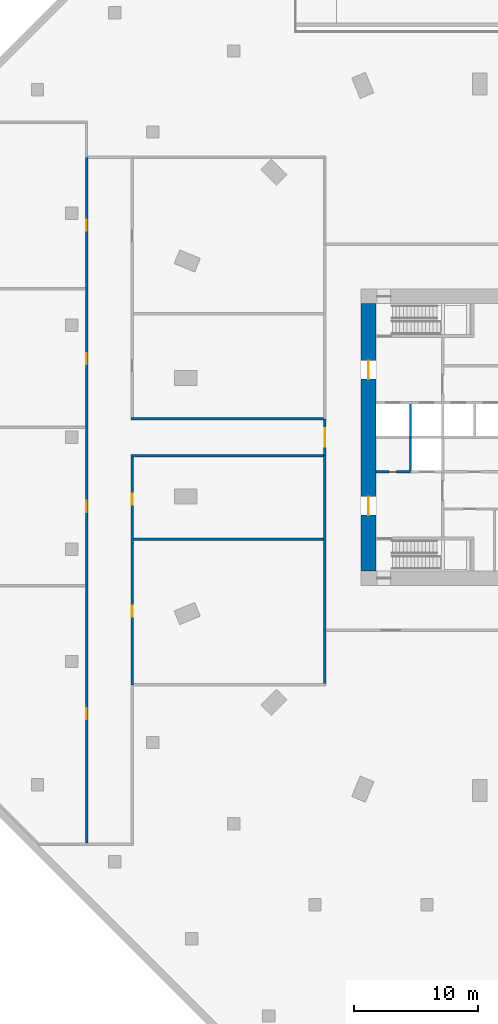
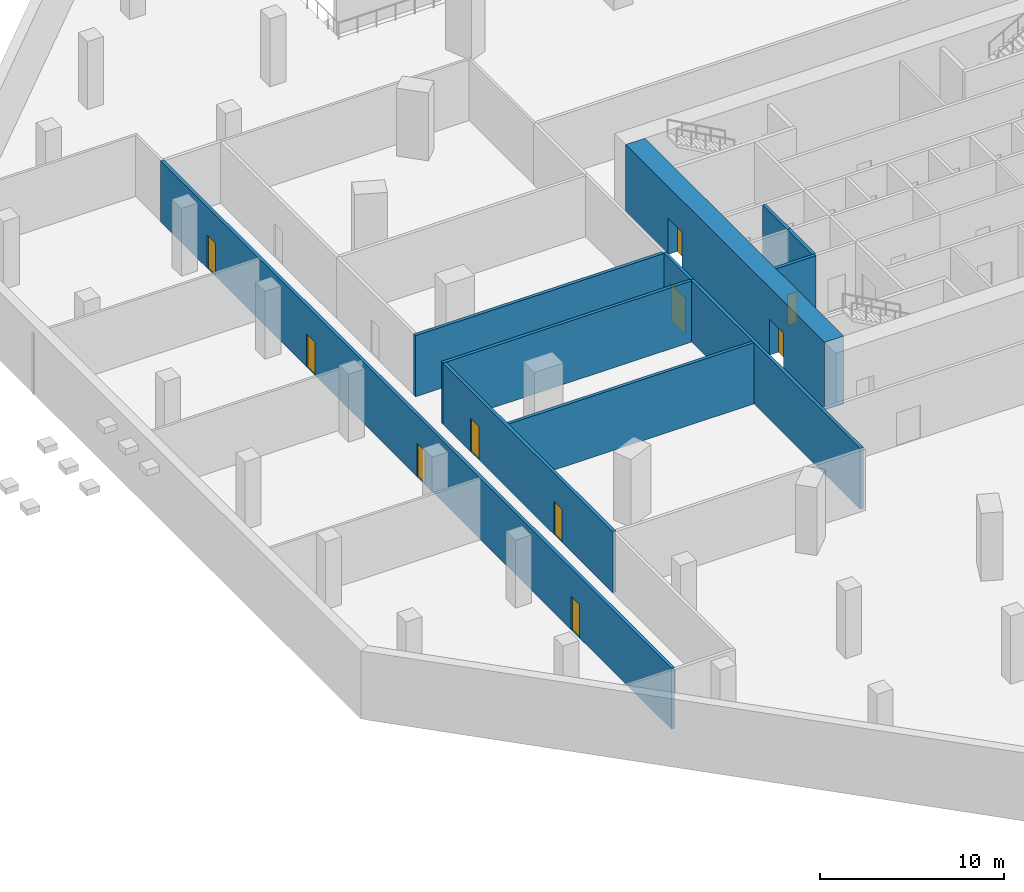
# One storey, part 4 of 11: 11 walls, 10 doors, 10 openings.
"""IFC4 building model written with IfcOpenShell, lengths in metres."""

from ifc_helpers import new_model, si_unit, direction, frame, frame_2d, origin, place, context, subcontext, project, spatial, rectangle, extrude, material, layer, layer_set, type_object, element, fill, save


model = new_model("IFC4")

# Units and contexts
model_context = context("Model", 3, precision=1e-05, world=origin(), true_north=direction((0.0, 1.0)))
body_context = subcontext(model_context, "Body", "Model", "MODEL_VIEW")
ifc_project = project(units=[si_unit("LENGTHUNIT", "METRE"), si_unit("AREAUNIT", "SQUARE_METRE"), si_unit("VOLUMEUNIT", "CUBIC_METRE"), si_unit("PLANEANGLEUNIT", "RADIAN"), si_unit("MASSUNIT", "GRAM", prefix="KILO")], contexts=[model_context])

# Site, building, storey
site_placement = place(None, origin())
site = spatial("IfcSite", under=ifc_project, at=site_placement, CompositionType="ELEMENT")
building_placement = place(site_placement, origin())
building = spatial("IfcBuilding", under=site, at=building_placement, Name="Msitu Wima Residences", CompositionType="ELEMENT")
storey_placement = place(building_placement, frame((0.0, 0.0, -4.5)))
storey = spatial("IfcBuildingStorey", under=building, at=storey_placement, Name="B1", CompositionType="ELEMENT", Elevation=-4.5)

# Wall, openings, doors
ifc_material_1 = material(Name="Concrete C80/95", Category="concrete")
ifc_layer_1 = layer(ifc_material_1, 1.199951171875)
ifc_layer_set_1 = layer_set([ifc_layer_1], Name="Concrete C80/95")
wall_type_1 = type_object("IfcWallType", Name="Core wall CW1200 C80/95", PredefinedType="SHEAR", material=ifc_layer_set_1)
wall_1_placement = place(storey_placement, frame((-13.800048828125, -10.800048828125, 0.0), z_axis=(0.0, 0.0, 1.0), x_axis=(0.0, 1.0, 0.0)))
wall_1 = element("IfcWall", 1, at=wall_1_placement, inside=storey, type_object=wall_type_1, Name="Core wall", PredefinedType="SHEAR", context=body_context, shape_type="SweptSolid", body=[
    extrude(rectangle(XDim=21.60009765625, YDim=1.199951171875, at=frame_2d((10.800048828125, 0.0))), origin(), (0.0, 0.0, 1.0), 4.5),
])
opening_1_placement = place(wall_1_placement, frame((15.5, 0.0, 0.0)))
opening_1 = element("IfcOpeningElement", 2, at=opening_1_placement, cuts=wall_1, Name="Opening DB1.038", PredefinedType="OPENING", context=body_context, shape_type="SweptSolid", body=[
    extrude(rectangle(XDim=1.5, YDim=2.39990234375, at=frame_2d((0.75, 1.199951171875))), frame((0.0, 0.60986328125, 0.0), z_axis=(0.0, -1.0, 0.0), x_axis=(1.0, 0.0, 0.0)), (0.0, 0.0, 1.0), 1.219970703125),
])
opening_2_placement = place(wall_1_placement, frame((4.5, 0.0, 0.0)))
opening_2 = element("IfcOpeningElement", 3, at=opening_2_placement, cuts=wall_1, Name="Opening DB1.039", PredefinedType="OPENING", context=body_context, shape_type="SweptSolid", body=[
    extrude(rectangle(XDim=1.5, YDim=2.39990234375, at=frame_2d((0.75, 1.199951171875))), frame((0.0, 0.60986328125, 0.0), z_axis=(0.0, -1.0, 0.0), x_axis=(1.0, 0.0, 0.0)), (0.0, 0.0, 1.0), 1.219970703125),
])
ifc_material_2 = material(Name="Steel framed glazed door, fire resisting", Category="steel")
door_type_1 = type_object("IfcDoorType", Name="Lobby door D07 1500x2400", OperationType="DOUBLE_DOOR_SINGLE_SWING", PredefinedType="DOOR", material=ifc_material_2)
door_1_placement = place(opening_1_placement, origin())
door_1 = element("IfcDoor", 4, at=door_1_placement, inside=storey, type_object=door_type_1, Name="Lobby door", OperationType="DOUBLE_DOOR_SINGLE_SWING", OverallHeight=2.39990234375, OverallWidth=1.5, PredefinedType="DOOR", context=body_context, shape_type="SweptSolid", body=[
    extrude(rectangle(XDim=1.5, YDim=2.39990234375, at=frame_2d((0.75, 1.199951171875))), frame((0.0, 0.02490234375, 0.0), z_axis=(0.0, -1.0, 0.0), x_axis=(1.0, 0.0, 0.0)), (0.0, 0.0, 1.0), 0.050048828125),
])
fill(opening_1, door_1)
door_2_placement = place(opening_2_placement, origin())
door_2 = element("IfcDoor", 5, at=door_2_placement, inside=storey, type_object=door_type_1, Name="Lobby door", OperationType="DOUBLE_DOOR_SINGLE_SWING", OverallHeight=2.39990234375, OverallWidth=1.5, PredefinedType="DOOR", context=body_context, shape_type="SweptSolid", body=[
    extrude(rectangle(XDim=1.5, YDim=2.39990234375, at=frame_2d((0.75, 1.199951171875))), frame((0.0, 0.02490234375, 0.0), z_axis=(0.0, -1.0, 0.0), x_axis=(1.0, 0.0, 0.0)), (0.0, 0.0, 1.0), 0.050048828125),
])
fill(opening_2, door_2)

ifc_material_3 = material(Name="Plaster")
ifc_layer_2 = layer(ifc_material_3, 0.011962890625, Name="Plaster")
ifc_material_4 = material(Name="Concrete blockwork", Category="masonry")
ifc_layer_3 = layer(ifc_material_4, 0.176025390625, Name="Concrete blockwork")
ifc_layer_4 = layer(ifc_material_3, 0.011962890625, Name="Plaster")
ifc_layer_set_2 = layer_set([ifc_layer_2, ifc_layer_3, ifc_layer_4], Name="Concrete blockwork")
wall_type_2 = type_object("IfcWallType", Name="Corridor wall FW200", PredefinedType="PARTITIONING", material=ifc_layer_set_2)
wall_2_placement = place(storey_placement, frame((-36.60009765625, -32.800048828125, 0.0), z_axis=(0.0, 0.0, 1.0), x_axis=(0.0, 1.0, 0.0)))
wall_2 = element("IfcWall", 6, at=wall_2_placement, inside=storey, type_object=wall_type_2, Name="Corridor wall", PredefinedType="PARTITIONING", context=body_context, shape_type="SweptSolid", body=[
    extrude(rectangle(XDim=55.455810546875, YDim=0.199951171875, at=frame_2d((27.72802734375, 0.0))), origin(), (0.0, 0.0, 1.0), 4.048095703125),
])
opening_3_placement = place(wall_2_placement, frame((10.0, 0.0, 0.0)))
opening_3 = element("IfcOpeningElement", 7, at=opening_3_placement, cuts=wall_2, Name="Opening DB1.025", PredefinedType="OPENING", context=body_context, shape_type="SweptSolid", body=[
    extrude(rectangle(XDim=0.89990234375, YDim=2.199951171875, at=frame_2d((0.449951171875, 1.10009765625))), frame((0.0, 0.10986328125, 0.0), z_axis=(0.0, -1.0, 0.0), x_axis=(1.0, 0.0, 0.0)), (0.0, 0.0, 1.0), 0.219970703125),
])
opening_4_placement = place(wall_2_placement, frame((26.75, 0.0, 0.0)))
opening_4 = element("IfcOpeningElement", 8, at=opening_4_placement, cuts=wall_2, Name="Opening DB1.026", PredefinedType="OPENING", context=body_context, shape_type="SweptSolid", body=[
    extrude(rectangle(XDim=0.89990234375, YDim=2.199951171875, at=frame_2d((0.449951171875, 1.10009765625))), frame((0.0, 0.10986328125, 0.0), z_axis=(0.0, -1.0, 0.0), x_axis=(1.0, 0.0, 0.0)), (0.0, 0.0, 1.0), 0.219970703125),
])
opening_5_placement = place(wall_2_placement, frame((38.699951171875, 0.0, 0.0)))
opening_5 = element("IfcOpeningElement", 9, at=opening_5_placement, cuts=wall_2, Name="Opening DB1.027", PredefinedType="OPENING", context=body_context, shape_type="SweptSolid", body=[
    extrude(rectangle(XDim=0.89990234375, YDim=2.199951171875, at=frame_2d((0.449951171875, 1.10009765625))), frame((0.0, 0.10986328125, 0.0), z_axis=(0.0, -1.0, 0.0), x_axis=(1.0, 0.0, 0.0)), (0.0, 0.0, 1.0), 0.219970703125),
])
opening_6_placement = place(wall_2_placement, frame((49.5, 0.0, 0.0)))
opening_6 = element("IfcOpeningElement", 10, at=opening_6_placement, cuts=wall_2, Name="Opening DB1.028", PredefinedType="OPENING", context=body_context, shape_type="SweptSolid", body=[
    extrude(rectangle(XDim=0.89990234375, YDim=2.199951171875, at=frame_2d((0.449951171875, 1.10009765625))), frame((0.0, 0.10986328125, 0.0), z_axis=(0.0, -1.0, 0.0), x_axis=(1.0, 0.0, 0.0)), (0.0, 0.0, 1.0), 0.219970703125),
])
ifc_material_5 = material(Name="Timber flush door", Category="wood")
door_type_2 = type_object("IfcDoorType", Name="Service door D05 900x2200", OperationType="SINGLE_SWING_LEFT", PredefinedType="DOOR", material=ifc_material_5)
door_3_placement = place(opening_3_placement, origin())
door_3 = element("IfcDoor", 11, at=door_3_placement, inside=storey, type_object=door_type_2, Name="Service door", OperationType="SINGLE_SWING_LEFT", OverallHeight=2.199951171875, OverallWidth=0.89990234375, PredefinedType="DOOR", context=body_context, shape_type="SweptSolid", body=[
    extrude(rectangle(XDim=0.89990234375, YDim=2.199951171875, at=frame_2d((0.449951171875, 1.10009765625))), frame((0.0, 0.02490234375, 0.0), z_axis=(0.0, -1.0, 0.0), x_axis=(1.0, 0.0, 0.0)), (0.0, 0.0, 1.0), 0.050048828125),
])
fill(opening_3, door_3)
door_4_placement = place(opening_4_placement, origin())
door_4 = element("IfcDoor", 12, at=door_4_placement, inside=storey, type_object=door_type_2, Name="Service door", OperationType="SINGLE_SWING_LEFT", OverallHeight=2.199951171875, OverallWidth=0.89990234375, PredefinedType="DOOR", context=body_context, shape_type="SweptSolid", body=[
    extrude(rectangle(XDim=0.89990234375, YDim=2.199951171875, at=frame_2d((0.449951171875, 1.10009765625))), frame((0.0, 0.02490234375, 0.0), z_axis=(0.0, -1.0, 0.0), x_axis=(1.0, 0.0, 0.0)), (0.0, 0.0, 1.0), 0.050048828125),
])
fill(opening_4, door_4)
door_5_placement = place(opening_5_placement, origin())
door_5 = element("IfcDoor", 13, at=door_5_placement, inside=storey, type_object=door_type_2, Name="Service door", OperationType="SINGLE_SWING_RIGHT", OverallHeight=2.199951171875, OverallWidth=0.89990234375, PredefinedType="DOOR", context=body_context, shape_type="SweptSolid", body=[
    extrude(rectangle(XDim=0.89990234375, YDim=2.199951171875, at=frame_2d((0.449951171875, 1.10009765625))), frame((0.0, 0.02490234375, 0.0), z_axis=(0.0, -1.0, 0.0), x_axis=(1.0, 0.0, 0.0)), (0.0, 0.0, 1.0), 0.050048828125),
])
fill(opening_5, door_5)
door_6_placement = place(opening_6_placement, origin())
door_6 = element("IfcDoor", 14, at=door_6_placement, inside=storey, type_object=door_type_2, Name="Service door", OperationType="SINGLE_SWING_RIGHT", OverallHeight=2.199951171875, OverallWidth=0.89990234375, PredefinedType="DOOR", context=body_context, shape_type="SweptSolid", body=[
    extrude(rectangle(XDim=0.89990234375, YDim=2.199951171875, at=frame_2d((0.449951171875, 1.10009765625))), frame((0.0, 0.02490234375, 0.0), z_axis=(0.0, -1.0, 0.0), x_axis=(1.0, 0.0, 0.0)), (0.0, 0.0, 1.0), 0.050048828125),
])
fill(opening_6, door_6)

# Wall, opening, door
wall_3_placement = place(storey_placement, frame((-17.327880859375, -1.47998046875, 0.0), z_axis=(0.0, 0.0, 1.0), x_axis=(0.0, 1.0, 0.0)))
wall_3 = element("IfcWall", 15, at=wall_3_placement, inside=storey, type_object=wall_type_2, Name="Corridor wall", PredefinedType="PARTITIONING", context=body_context, shape_type="SweptSolid", body=[
    extrude(rectangle(XDim=2.9599609375, YDim=0.199951171875, at=frame_2d((1.47998046875, 0.0))), origin(), (0.0, 0.0, 1.0), 4.048095703125),
])
opening_7_placement = place(wall_3_placement, frame((0.699951171875, 0.0, 0.0)))
opening_7 = element("IfcOpeningElement", 16, at=opening_7_placement, cuts=wall_3, Name="Opening DB1.024", PredefinedType="OPENING", context=body_context, shape_type="SweptSolid", body=[
    extrude(rectangle(XDim=1.5, YDim=2.39990234375, at=frame_2d((0.75, 1.199951171875))), frame((0.0, 0.10986328125, 0.0), z_axis=(0.0, -1.0, 0.0), x_axis=(1.0, 0.0, 0.0)), (0.0, 0.0, 1.0), 0.219970703125),
])
door_7_placement = place(opening_7_placement, origin())
door_7 = element("IfcDoor", 17, at=door_7_placement, inside=storey, type_object=door_type_1, Name="Lobby door", OperationType="DOUBLE_DOOR_SINGLE_SWING", OverallHeight=2.39990234375, OverallWidth=1.5, PredefinedType="DOOR", context=body_context, shape_type="SweptSolid", body=[
    extrude(rectangle(XDim=1.5, YDim=2.39990234375, at=frame_2d((0.75, 1.199951171875))), frame((0.0, 0.02490234375, 0.0), z_axis=(0.0, -1.0, 0.0), x_axis=(1.0, 0.0, 0.0)), (0.0, 0.0, 1.0), 0.050048828125),
])
fill(opening_7, door_7)

# Wall, openings, doors
ifc_layer_5 = layer(ifc_material_3, 0.011962890625, Name="Plaster")
ifc_material_6 = material(Name="Reinforced concrete blockwork", Category="masonry")
ifc_layer_6 = layer(ifc_material_6, 0.176025390625, Name="Reinforced concrete blockwork")
ifc_layer_7 = layer(ifc_material_3, 0.011962890625, Name="Plaster")
ifc_layer_set_3 = layer_set([ifc_layer_5, ifc_layer_6, ifc_layer_7], Name="Reinforced concrete blockwork")
wall_type_3 = type_object("IfcWallType", Name="Plant and riser wall PL200", PredefinedType="PARTITIONING", material=ifc_layer_set_3)
wall_4_placement = place(storey_placement, frame((-32.89990234375, -20.02001953125, 0.0), z_axis=(0.0, 0.0, 1.0), x_axis=(0.0, 1.0, 0.0)))
wall_4 = element("IfcWall", 18, at=wall_4_placement, inside=storey, type_object=wall_type_3, Name="Plant and riser wall", PredefinedType="PARTITIONING", context=body_context, shape_type="SweptSolid", body=[
    extrude(rectangle(XDim=18.419921875, YDim=0.199951171875, at=frame_2d((9.2099609375, 0.0))), origin(), (0.0, 0.0, 1.0), 4.048095703125),
])
opening_8_placement = place(wall_4_placement, frame((5.5, 0.0, 0.0)))
opening_8 = element("IfcOpeningElement", 19, at=opening_8_placement, cuts=wall_4, Name="Opening DB1.029", PredefinedType="OPENING", context=body_context, shape_type="SweptSolid", body=[
    extrude(rectangle(XDim=0.89990234375, YDim=2.199951171875, at=frame_2d((0.449951171875, 1.10009765625))), frame((0.0, 0.10986328125, 0.0), z_axis=(0.0, -1.0, 0.0), x_axis=(1.0, 0.0, 0.0)), (0.0, 0.0, 1.0), 0.219970703125),
])
opening_9_placement = place(wall_4_placement, frame((14.550048828125, 0.0, 0.0)))
opening_9 = element("IfcOpeningElement", 20, at=opening_9_placement, cuts=wall_4, Name="Opening DB1.030", PredefinedType="OPENING", context=body_context, shape_type="SweptSolid", body=[
    extrude(rectangle(XDim=0.89990234375, YDim=2.199951171875, at=frame_2d((0.449951171875, 1.10009765625))), frame((0.0, 0.10986328125, 0.0), z_axis=(0.0, -1.0, 0.0), x_axis=(1.0, 0.0, 0.0)), (0.0, 0.0, 1.0), 0.219970703125),
])
door_8_placement = place(opening_8_placement, origin())
door_8 = element("IfcDoor", 21, at=door_8_placement, inside=storey, type_object=door_type_2, Name="Service door", OperationType="SINGLE_SWING_RIGHT", OverallHeight=2.199951171875, OverallWidth=0.89990234375, PredefinedType="DOOR", context=body_context, shape_type="SweptSolid", body=[
    extrude(rectangle(XDim=0.89990234375, YDim=2.199951171875, at=frame_2d((0.449951171875, 1.10009765625))), frame((0.0, 0.02490234375, 0.0), z_axis=(0.0, -1.0, 0.0), x_axis=(1.0, 0.0, 0.0)), (0.0, 0.0, 1.0), 0.050048828125),
])
fill(opening_8, door_8)
door_9_placement = place(opening_9_placement, origin())
door_9 = element("IfcDoor", 22, at=door_9_placement, inside=storey, type_object=door_type_2, Name="Service door", OperationType="SINGLE_SWING_RIGHT", OverallHeight=2.199951171875, OverallWidth=0.89990234375, PredefinedType="DOOR", context=body_context, shape_type="SweptSolid", body=[
    extrude(rectangle(XDim=0.89990234375, YDim=2.199951171875, at=frame_2d((0.449951171875, 1.10009765625))), frame((0.0, 0.02490234375, 0.0), z_axis=(0.0, -1.0, 0.0), x_axis=(1.0, 0.0, 0.0)), (0.0, 0.0, 1.0), 0.050048828125),
])
fill(opening_9, door_9)

# Walls
wall_5_placement = place(storey_placement, frame((-32.800048828125, -8.263916015625, 0.0), z_axis=(0.0, 0.0, 1.0), x_axis=(1.0, 0.0, 0.0)))
element("IfcWall", 23, at=wall_5_placement, inside=storey, type_object=wall_type_3, Name="Plant and riser wall", PredefinedType="PARTITIONING", context=body_context, shape_type="SweptSolid", body=[
    extrude(rectangle(XDim=15.3720703125, YDim=0.199951171875, at=frame_2d((7.68603515625, 0.0))), origin(), (0.0, 0.0, 1.0), 4.048095703125),
])
for number, where, z_axis, x_axis, name in (
    (24, (-33.0, -1.5, 0.0), (0.0, 0.0, 1.0), (1.0, 0.0, 0.0), "Plant and riser wall"),
    (25, (-33.0, 1.5, 0.0), (0.0, 0.0, 1.0), (1.0, 0.0, 0.0), "Plant and riser wall"),
):
    element("IfcWall", number, at=place(storey_placement, frame(where, z_axis=z_axis, x_axis=x_axis)), inside=storey, type_object=wall_type_3, Name=name, PredefinedType="PARTITIONING", context=body_context, shape_type="SweptSolid", body=[
        extrude(rectangle(XDim=15.572021484375, YDim=0.199951171875, at=frame_2d((7.7861328125, 0.0))), origin(), (0.0, 0.0, 1.0), 4.048095703125),
    ])
wall_6_placement = place(storey_placement, frame((-17.327880859375, -19.89990234375, 0.0), z_axis=(0.0, 0.0, 1.0), x_axis=(0.0, 1.0, 0.0)))
element("IfcWall", 26, at=wall_6_placement, inside=storey, type_object=wall_type_3, Name="Plant and riser wall", PredefinedType="PARTITIONING", context=body_context, shape_type="SweptSolid", body=[
    extrude(rectangle(XDim=18.419921875, YDim=0.199951171875, at=frame_2d((9.2099609375, 0.0))), origin(), (0.0, 0.0, 1.0), 4.048095703125),
])

# Wall, opening, door
wall_7_placement = place(storey_placement, frame((-13.169921875, -2.800048828125, 0.0), z_axis=(0.0, 0.0, 1.0), x_axis=(1.0, 0.0, 0.0)))
wall_7 = element("IfcWall", 27, at=wall_7_placement, inside=storey, type_object=wall_type_3, Name="Plant and riser wall", PredefinedType="PARTITIONING", context=body_context, shape_type="SweptSolid", body=[
    extrude(rectangle(XDim=2.7900390625, YDim=0.199951171875, at=frame_2d((1.39501953125, 0.0))), origin(), (0.0, 0.0, 1.0), 4.048095703125),
])
opening_10_placement = place(wall_7_placement, frame((1.050048828125, 0.0, 0.0)))
opening_10 = element("IfcOpeningElement", 28, at=opening_10_placement, cuts=wall_7, Name="Opening DB1.013", PredefinedType="OPENING", context=body_context, shape_type="SweptSolid", body=[
    extrude(rectangle(XDim=0.60009765625, YDim=2.0, at=frame_2d((0.300048828125, 1.0))), frame((0.0, 0.10986328125, 0.0), z_axis=(0.0, -1.0, 0.0), x_axis=(1.0, 0.0, 0.0)), (0.0, 0.0, 1.0), 0.219970703125),
])
ifc_material_7 = material(Name="Steel access door, fire resisting", Category="steel")
door_type_3 = type_object("IfcDoorType", Name="Riser access door D08 600x2000", OperationType="SINGLE_SWING_LEFT", PredefinedType="DOOR", material=ifc_material_7)
door_10_placement = place(opening_10_placement, origin())
door_10 = element("IfcDoor", 29, at=door_10_placement, inside=storey, type_object=door_type_3, Name="Riser access door", OperationType="SINGLE_SWING_RIGHT", OverallHeight=2.0, OverallWidth=0.60009765625, PredefinedType="DOOR", context=body_context, shape_type="SweptSolid", body=[
    extrude(rectangle(XDim=0.60009765625, YDim=2.0, at=frame_2d((0.300048828125, 1.0))), frame((0.0, 0.02490234375, 0.0), z_axis=(0.0, -1.0, 0.0), x_axis=(1.0, 0.0, 0.0)), (0.0, 0.0, 1.0), 0.050048828125),
])
fill(opening_10, door_10)

# Walls
ifc_material_8 = material(Name="Fire-rated board")
ifc_layer_8 = layer(ifc_material_8, 0.02490234375, Name="Fire-rated board")
ifc_material_9 = material(Name="Light-gauge stud framing with mineral wool")
ifc_layer_9 = layer(ifc_material_9, 0.14990234375, Name="Light-gauge stud framing with mineral wool")
ifc_layer_10 = layer(ifc_material_8, 0.02490234375, Name="Fire-rated board")
ifc_layer_set_4 = layer_set([ifc_layer_8, ifc_layer_9, ifc_layer_10], Name="Light-gauge stud framing with mineral wool")
wall_type_4 = type_object("IfcWallType", Name="Shaft wall SH200", PredefinedType="PARTITIONING", material=ifc_layer_set_4)
for number, where, z_axis, x_axis, name in (
    (30, (-10.39990234375, -2.699951171875, 0.0), (0.0, 0.0, 1.0), (0.0, 1.0, 0.0), "Shaft wall"),
    (31, (-10.39990234375, 0.0, 0.0), (0.0, 0.0, 1.0), (0.0, 1.0, 0.0), "Shaft wall"),
):
    element("IfcWall", number, at=place(storey_placement, frame(where, z_axis=z_axis, x_axis=x_axis)), inside=storey, type_object=wall_type_4, Name=name, PredefinedType="PARTITIONING", context=body_context, shape_type="SweptSolid", body=[
        extrude(rectangle(XDim=2.699951171875, YDim=0.199951171875, at=frame_2d((1.35009765625, 0.0))), origin(), (0.0, 0.0, 1.0), 4.048095703125),
    ])

save(model, "model.ifc")
